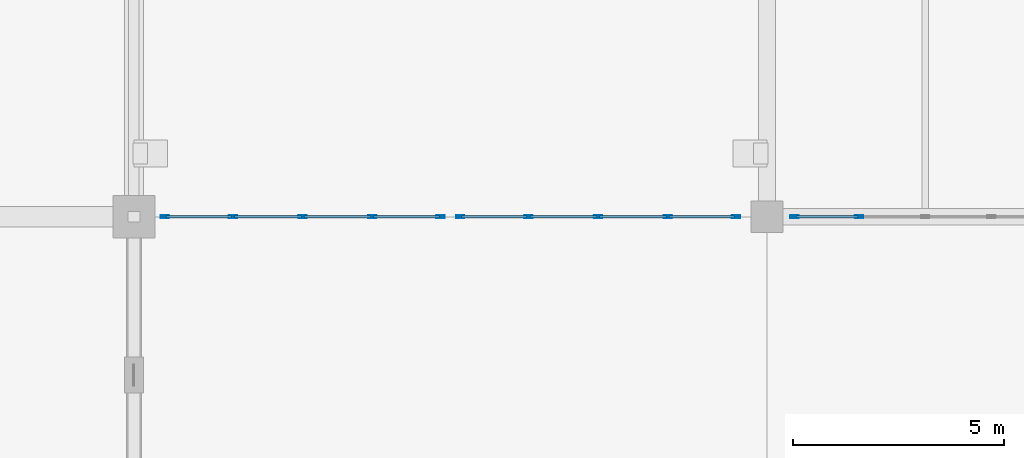
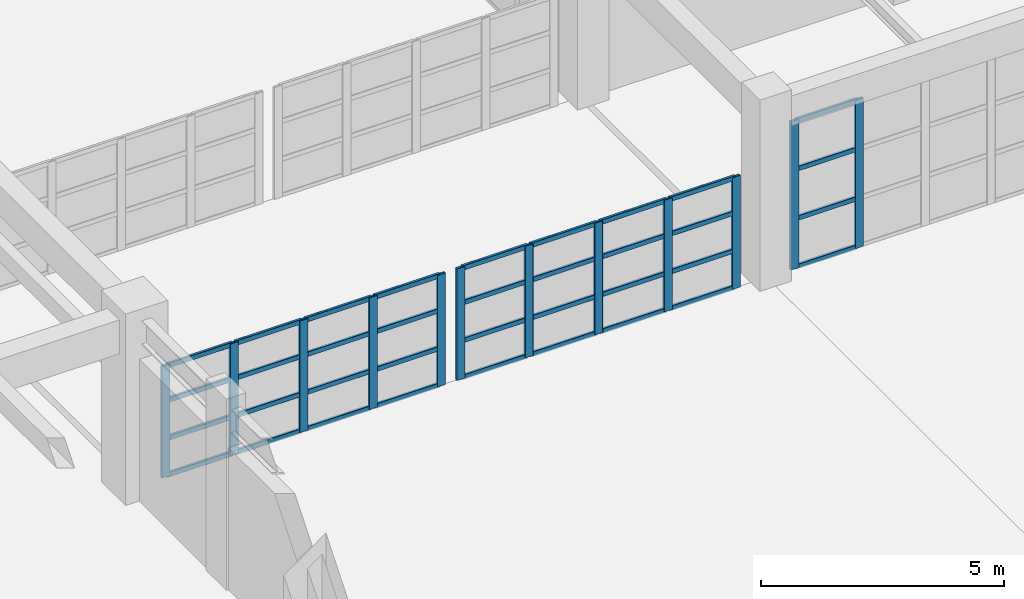
# One storey, part 44 of 122: 48 members, 3 elements without a shape of their own.
"""IFC4 building model written with IfcOpenShell, lengths in metres."""

from ifc_helpers import new_model, si_unit, direction, frame, origin, origin_2d, place, context, subcontext, project, spatial, hollow_rectangle, extrude, material, material_profile, profile_set, type_object, element, aggregate, save


model = new_model("IFC4")

# Units and contexts
model_context = context("Model", 3, precision=1e-05, world=origin(), true_north=direction((0.0, 1.0)))
body_context = subcontext(model_context, "Body", "Model", "MODEL_VIEW")
ifc_project = project(units=[si_unit("LENGTHUNIT", "METRE"), si_unit("AREAUNIT", "SQUARE_METRE"), si_unit("VOLUMEUNIT", "CUBIC_METRE"), si_unit("PLANEANGLEUNIT", "RADIAN"), si_unit("MASSUNIT", "GRAM", prefix="KILO")], contexts=[model_context])

# Site, building, storey
site_placement = place(None, origin())
site = spatial("IfcSite", under=ifc_project, at=site_placement, CompositionType="ELEMENT")
building_placement = place(site_placement, origin())
building = spatial("IfcBuilding", under=site, at=building_placement, Name="Qasida Concert Hall", CompositionType="ELEMENT")
storey_placement = place(building_placement, origin())
storey = spatial("IfcBuildingStorey", under=building, at=storey_placement, Name="L00", CompositionType="ELEMENT", Elevation=0.0)

# Curtain wall, members
ifc_material_1 = material(Name="Architectural bronze-anodized aluminium and low-E glass", Category="aluminium")
curtain_wall_type_1 = type_object("IfcCurtainWallType", Name="CW-03", PredefinedType="NOTDEFINED", material=ifc_material_1)
curtain_wall_1_placement = place(storey_placement, origin())
curtain_wall_1 = element("IfcCurtainWall", 1, at=curtain_wall_1_placement, inside=storey, type_object=curtain_wall_type_1, Name="L00 curtain wall CW-03 0151", PredefinedType="NOTDEFINED")
ifc_material_2 = material(Name="Architectural bronze-anodized aluminium EN AW-6063", Category="aluminium")
ifc_material_profile_1 = material_profile(ifc_material_2, hollow_rectangle(XDim=0.06494140625, YDim=0.199951171875, WallThickness=0.0048828125, InnerFilletRadius=0.0048828125, OuterFilletRadius=0.010009765625, at=origin_2d()), Name="CWM 200x65x5")
ifc_profile_set_1 = profile_set([ifc_material_profile_1], Name="Architectural bronze-anodized aluminium EN AW-6063")
member_type_1 = type_object("IfcMemberType", Name="MB-CWM-2", PredefinedType="MULLION", material=ifc_profile_set_1)
member_1_placement = place(storey_placement, frame((120.652587890625, 75.0, 0.0), z_axis=(0.0, 0.0, 1.0), x_axis=(0.0, 1.0, 0.0)))
member_1 = element("IfcMember", 2, at=member_1_placement, type_object=member_type_1, Name="CW-03 mullion 1", PredefinedType="MULLION", context=body_context, shape_type="SweptSolid", body=[
    extrude(hollow_rectangle(XDim=0.06494140625, YDim=0.199951171875, WallThickness=0.0048828125, InnerFilletRadius=0.0048828125, OuterFilletRadius=0.010009765625, at=origin_2d()), origin(), (0.0, 0.0, 1.0), 3.719970703125),
])
member_2_placement = place(storey_placement, frame((122.18505859375, 75.0, 0.0), z_axis=(0.0, 0.0, 1.0), x_axis=(0.0, 1.0, 0.0)))
member_2 = element("IfcMember", 3, at=member_2_placement, type_object=member_type_1, Name="CW-03 mullion 2", PredefinedType="MULLION", context=body_context, shape_type="SweptSolid", body=[
    extrude(hollow_rectangle(XDim=0.06494140625, YDim=0.199951171875, WallThickness=0.0048828125, InnerFilletRadius=0.0048828125, OuterFilletRadius=0.010009765625, at=origin_2d()), origin(), (0.0, 0.0, 1.0), 3.719970703125),
])

curtain_wall_type_2 = type_object("IfcCurtainWallType", Name="CW-08", PredefinedType="NOTDEFINED", material=ifc_material_1)
curtain_wall_2_placement = place(storey_placement, origin())
curtain_wall_2 = element("IfcCurtainWall", 4, at=curtain_wall_2_placement, inside=storey, type_object=curtain_wall_type_2, Name="L00 link bridge glazing 0222", PredefinedType="NOTDEFINED")
member_3_placement = place(storey_placement, frame((105.732421875, 75.0, 0.0), z_axis=(0.0, 0.0, 1.0), x_axis=(0.0, 1.0, 0.0)))
member_3 = element("IfcMember", 5, at=member_3_placement, type_object=member_type_1, Name="CW-08 mullion 1", PredefinedType="MULLION", context=body_context, shape_type="SweptSolid", body=[
    extrude(hollow_rectangle(XDim=0.06494140625, YDim=0.199951171875, WallThickness=0.0048828125, InnerFilletRadius=0.0048828125, OuterFilletRadius=0.010009765625, at=origin_2d()), origin(), (0.0, 0.0, 1.0), 2.800048828125),
])
member_4_placement = place(storey_placement, frame((107.35009765625, 75.0, 0.0), z_axis=(0.0, 0.0, 1.0), x_axis=(0.0, 1.0, 0.0)))
member_4 = element("IfcMember", 6, at=member_4_placement, type_object=member_type_1, Name="CW-08 mullion 2", PredefinedType="MULLION", context=body_context, shape_type="SweptSolid", body=[
    extrude(hollow_rectangle(XDim=0.06494140625, YDim=0.199951171875, WallThickness=0.0048828125, InnerFilletRadius=0.0048828125, OuterFilletRadius=0.010009765625, at=origin_2d()), origin(), (0.0, 0.0, 1.0), 2.800048828125),
])
member_5_placement = place(storey_placement, frame((109.0, 75.0, 0.0), z_axis=(0.0, 0.0, 1.0), x_axis=(0.0, 1.0, 0.0)))
member_5 = element("IfcMember", 7, at=member_5_placement, type_object=member_type_1, Name="CW-08 mullion 3", PredefinedType="MULLION", context=body_context, shape_type="SweptSolid", body=[
    extrude(hollow_rectangle(XDim=0.06494140625, YDim=0.199951171875, WallThickness=0.0048828125, InnerFilletRadius=0.0048828125, OuterFilletRadius=0.010009765625, at=origin_2d()), origin(), (0.0, 0.0, 1.0), 2.800048828125),
])
member_6_placement = place(storey_placement, frame((110.64990234375, 75.0, 0.0), z_axis=(0.0, 0.0, 1.0), x_axis=(0.0, 1.0, 0.0)))
member_6 = element("IfcMember", 8, at=member_6_placement, type_object=member_type_1, Name="CW-08 mullion 4", PredefinedType="MULLION", context=body_context, shape_type="SweptSolid", body=[
    extrude(hollow_rectangle(XDim=0.06494140625, YDim=0.199951171875, WallThickness=0.0048828125, InnerFilletRadius=0.0048828125, OuterFilletRadius=0.010009765625, at=origin_2d()), origin(), (0.0, 0.0, 1.0), 2.800048828125),
])
member_7_placement = place(storey_placement, frame((112.267578125, 75.0, 0.0), z_axis=(0.0, 0.0, 1.0), x_axis=(0.0, 1.0, 0.0)))
member_7 = element("IfcMember", 9, at=member_7_placement, type_object=member_type_1, Name="CW-08 mullion 5", PredefinedType="MULLION", context=body_context, shape_type="SweptSolid", body=[
    extrude(hollow_rectangle(XDim=0.06494140625, YDim=0.199951171875, WallThickness=0.0048828125, InnerFilletRadius=0.0048828125, OuterFilletRadius=0.010009765625, at=origin_2d()), origin(), (0.0, 0.0, 1.0), 2.800048828125),
])

curtain_wall_3_placement = place(storey_placement, origin())
curtain_wall_3 = element("IfcCurtainWall", 10, at=curtain_wall_3_placement, inside=storey, type_object=curtain_wall_type_2, Name="L00 link bridge glazing 0224", PredefinedType="NOTDEFINED")
member_8_placement = place(storey_placement, frame((112.732421875, 75.0, 0.0), z_axis=(0.0, 0.0, 1.0), x_axis=(0.0, 1.0, 0.0)))
member_8 = element("IfcMember", 11, at=member_8_placement, type_object=member_type_1, Name="CW-08 mullion 1", PredefinedType="MULLION", context=body_context, shape_type="SweptSolid", body=[
    extrude(hollow_rectangle(XDim=0.06494140625, YDim=0.199951171875, WallThickness=0.0048828125, InnerFilletRadius=0.0048828125, OuterFilletRadius=0.010009765625, at=origin_2d()), origin(), (0.0, 0.0, 1.0), 2.800048828125),
])
member_9_placement = place(storey_placement, frame((114.35009765625, 75.0, 0.0), z_axis=(0.0, 0.0, 1.0), x_axis=(0.0, 1.0, 0.0)))
member_9 = element("IfcMember", 12, at=member_9_placement, type_object=member_type_1, Name="CW-08 mullion 2", PredefinedType="MULLION", context=body_context, shape_type="SweptSolid", body=[
    extrude(hollow_rectangle(XDim=0.06494140625, YDim=0.199951171875, WallThickness=0.0048828125, InnerFilletRadius=0.0048828125, OuterFilletRadius=0.010009765625, at=origin_2d()), origin(), (0.0, 0.0, 1.0), 2.800048828125),
])
member_10_placement = place(storey_placement, frame((116.0, 75.0, 0.0), z_axis=(0.0, 0.0, 1.0), x_axis=(0.0, 1.0, 0.0)))
member_10 = element("IfcMember", 13, at=member_10_placement, type_object=member_type_1, Name="CW-08 mullion 3", PredefinedType="MULLION", context=body_context, shape_type="SweptSolid", body=[
    extrude(hollow_rectangle(XDim=0.06494140625, YDim=0.199951171875, WallThickness=0.0048828125, InnerFilletRadius=0.0048828125, OuterFilletRadius=0.010009765625, at=origin_2d()), origin(), (0.0, 0.0, 1.0), 2.800048828125),
])
member_11_placement = place(storey_placement, frame((117.64990234375, 75.0, 0.0), z_axis=(0.0, 0.0, 1.0), x_axis=(0.0, 1.0, 0.0)))
member_11 = element("IfcMember", 14, at=member_11_placement, type_object=member_type_1, Name="CW-08 mullion 4", PredefinedType="MULLION", context=body_context, shape_type="SweptSolid", body=[
    extrude(hollow_rectangle(XDim=0.06494140625, YDim=0.199951171875, WallThickness=0.0048828125, InnerFilletRadius=0.0048828125, OuterFilletRadius=0.010009765625, at=origin_2d()), origin(), (0.0, 0.0, 1.0), 2.800048828125),
])
member_12_placement = place(storey_placement, frame((119.267578125, 75.0, 0.0), z_axis=(0.0, 0.0, 1.0), x_axis=(0.0, 1.0, 0.0)))
member_12 = element("IfcMember", 15, at=member_12_placement, type_object=member_type_1, Name="CW-08 mullion 5", PredefinedType="MULLION", context=body_context, shape_type="SweptSolid", body=[
    extrude(hollow_rectangle(XDim=0.06494140625, YDim=0.199951171875, WallThickness=0.0048828125, InnerFilletRadius=0.0048828125, OuterFilletRadius=0.010009765625, at=origin_2d()), origin(), (0.0, 0.0, 1.0), 2.800048828125),
])

# Member
ifc_material_profile_2 = material_profile(ifc_material_2, hollow_rectangle(XDim=0.06005859375, YDim=0.1201171875, WallThickness=0.00390625, InnerFilletRadius=0.00390625, OuterFilletRadius=0.008056640625, at=origin_2d()), Name="CWT 120x60x4")
ifc_profile_set_2 = profile_set([ifc_material_profile_2], Name="Architectural bronze-anodized aluminium EN AW-6063")
member_type_2 = type_object("IfcMemberType", Name="MB-CWT-2", PredefinedType="USERDEFINED", material=ifc_profile_set_2)
member_13_placement = place(storey_placement, frame((120.68505859375, 75.0, 0.030029296875), z_axis=(1.0, 0.0, 0.0), x_axis=(0.0, 1.0, 0.0)))
member_13 = element("IfcMember", 16, at=member_13_placement, type_object=member_type_2, Name="CW-03 transom 1.1", ObjectType="TRANSOM", PredefinedType="USERDEFINED", context=body_context, shape_type="SweptSolid", body=[
    extrude(hollow_rectangle(XDim=0.06005859375, YDim=0.1201171875, WallThickness=0.00390625, InnerFilletRadius=0.00390625, OuterFilletRadius=0.008056640625, at=origin_2d()), origin(), (0.0, 0.0, 1.0), 1.467529296875),
])

member_14_placement = place(storey_placement, frame((120.68505859375, 75.0, 1.239990234375), z_axis=(1.0, 0.0, 0.0), x_axis=(0.0, 1.0, 0.0)))
member_14 = element("IfcMember", 17, at=member_14_placement, type_object=member_type_2, Name="CW-03 transom 1.2", ObjectType="TRANSOM", PredefinedType="USERDEFINED", context=body_context, shape_type="SweptSolid", body=[
    extrude(hollow_rectangle(XDim=0.06005859375, YDim=0.1201171875, WallThickness=0.00390625, InnerFilletRadius=0.00390625, OuterFilletRadius=0.008056640625, at=origin_2d()), origin(), (0.0, 0.0, 1.0), 1.467529296875),
])

member_15_placement = place(storey_placement, frame((120.68505859375, 75.0, 2.47998046875), z_axis=(1.0, 0.0, 0.0), x_axis=(0.0, 1.0, 0.0)))
member_15 = element("IfcMember", 18, at=member_15_placement, type_object=member_type_2, Name="CW-03 transom 1.3", ObjectType="TRANSOM", PredefinedType="USERDEFINED", context=body_context, shape_type="SweptSolid", body=[
    extrude(hollow_rectangle(XDim=0.06005859375, YDim=0.1201171875, WallThickness=0.00390625, InnerFilletRadius=0.00390625, OuterFilletRadius=0.008056640625, at=origin_2d()), origin(), (0.0, 0.0, 1.0), 1.467529296875),
])

member_16_placement = place(storey_placement, frame((120.68505859375, 75.0, 3.68994140625), z_axis=(1.0, 0.0, 0.0), x_axis=(0.0, 1.0, 0.0)))
member_16 = element("IfcMember", 19, at=member_16_placement, type_object=member_type_2, Name="CW-03 transom 1.4", ObjectType="TRANSOM", PredefinedType="USERDEFINED", context=body_context, shape_type="SweptSolid", body=[
    extrude(hollow_rectangle(XDim=0.06005859375, YDim=0.1201171875, WallThickness=0.00390625, InnerFilletRadius=0.00390625, OuterFilletRadius=0.008056640625, at=origin_2d()), origin(), (0.0, 0.0, 1.0), 1.467529296875),
])

aggregate(curtain_wall_1, [member_1, member_2, member_13, member_14, member_15, member_16])

member_17_placement = place(storey_placement, frame((105.764892578125, 75.0, 0.030029296875), z_axis=(1.0, 0.0, 0.0), x_axis=(0.0, 1.0, 0.0)))
member_17 = element("IfcMember", 20, at=member_17_placement, type_object=member_type_2, Name="CW-08 transom 1.1", ObjectType="TRANSOM", PredefinedType="USERDEFINED", context=body_context, shape_type="SweptSolid", body=[
    extrude(hollow_rectangle(XDim=0.06005859375, YDim=0.1201171875, WallThickness=0.00390625, InnerFilletRadius=0.00390625, OuterFilletRadius=0.008056640625, at=origin_2d()), origin(), (0.0, 0.0, 1.0), 1.552490234375),
])

member_18_placement = place(storey_placement, frame((105.764892578125, 75.0, 0.949951171875), z_axis=(1.0, 0.0, 0.0), x_axis=(0.0, 1.0, 0.0)))
member_18 = element("IfcMember", 21, at=member_18_placement, type_object=member_type_2, Name="CW-08 transom 1.2", ObjectType="TRANSOM", PredefinedType="USERDEFINED", context=body_context, shape_type="SweptSolid", body=[
    extrude(hollow_rectangle(XDim=0.06005859375, YDim=0.1201171875, WallThickness=0.00390625, InnerFilletRadius=0.00390625, OuterFilletRadius=0.008056640625, at=origin_2d()), origin(), (0.0, 0.0, 1.0), 1.552490234375),
])

member_19_placement = place(storey_placement, frame((105.764892578125, 75.0, 1.89990234375), z_axis=(1.0, 0.0, 0.0), x_axis=(0.0, 1.0, 0.0)))
member_19 = element("IfcMember", 22, at=member_19_placement, type_object=member_type_2, Name="CW-08 transom 1.3", ObjectType="TRANSOM", PredefinedType="USERDEFINED", context=body_context, shape_type="SweptSolid", body=[
    extrude(hollow_rectangle(XDim=0.06005859375, YDim=0.1201171875, WallThickness=0.00390625, InnerFilletRadius=0.00390625, OuterFilletRadius=0.008056640625, at=origin_2d()), origin(), (0.0, 0.0, 1.0), 1.552490234375),
])

member_20_placement = place(storey_placement, frame((105.764892578125, 75.0, 2.77001953125), z_axis=(1.0, 0.0, 0.0), x_axis=(0.0, 1.0, 0.0)))
member_20 = element("IfcMember", 23, at=member_20_placement, type_object=member_type_2, Name="CW-08 transom 1.4", ObjectType="TRANSOM", PredefinedType="USERDEFINED", context=body_context, shape_type="SweptSolid", body=[
    extrude(hollow_rectangle(XDim=0.06005859375, YDim=0.1201171875, WallThickness=0.00390625, InnerFilletRadius=0.00390625, OuterFilletRadius=0.008056640625, at=origin_2d()), origin(), (0.0, 0.0, 1.0), 1.552490234375),
])

member_21_placement = place(storey_placement, frame((107.382568359375, 75.0, 0.030029296875), z_axis=(1.0, 0.0, 0.0), x_axis=(0.0, 1.0, 0.0)))
member_21 = element("IfcMember", 24, at=member_21_placement, type_object=member_type_2, Name="CW-08 transom 2.1", ObjectType="TRANSOM", PredefinedType="USERDEFINED", context=body_context, shape_type="SweptSolid", body=[
    extrude(hollow_rectangle(XDim=0.06005859375, YDim=0.1201171875, WallThickness=0.00390625, InnerFilletRadius=0.00390625, OuterFilletRadius=0.008056640625, at=origin_2d()), origin(), (0.0, 0.0, 1.0), 1.5849609375),
])

member_22_placement = place(storey_placement, frame((107.382568359375, 75.0, 0.949951171875), z_axis=(1.0, 0.0, 0.0), x_axis=(0.0, 1.0, 0.0)))
member_22 = element("IfcMember", 25, at=member_22_placement, type_object=member_type_2, Name="CW-08 transom 2.2", ObjectType="TRANSOM", PredefinedType="USERDEFINED", context=body_context, shape_type="SweptSolid", body=[
    extrude(hollow_rectangle(XDim=0.06005859375, YDim=0.1201171875, WallThickness=0.00390625, InnerFilletRadius=0.00390625, OuterFilletRadius=0.008056640625, at=origin_2d()), origin(), (0.0, 0.0, 1.0), 1.5849609375),
])

member_23_placement = place(storey_placement, frame((107.382568359375, 75.0, 1.89990234375), z_axis=(1.0, 0.0, 0.0), x_axis=(0.0, 1.0, 0.0)))
member_23 = element("IfcMember", 26, at=member_23_placement, type_object=member_type_2, Name="CW-08 transom 2.3", ObjectType="TRANSOM", PredefinedType="USERDEFINED", context=body_context, shape_type="SweptSolid", body=[
    extrude(hollow_rectangle(XDim=0.06005859375, YDim=0.1201171875, WallThickness=0.00390625, InnerFilletRadius=0.00390625, OuterFilletRadius=0.008056640625, at=origin_2d()), origin(), (0.0, 0.0, 1.0), 1.5849609375),
])

member_24_placement = place(storey_placement, frame((107.382568359375, 75.0, 2.77001953125), z_axis=(1.0, 0.0, 0.0), x_axis=(0.0, 1.0, 0.0)))
member_24 = element("IfcMember", 27, at=member_24_placement, type_object=member_type_2, Name="CW-08 transom 2.4", ObjectType="TRANSOM", PredefinedType="USERDEFINED", context=body_context, shape_type="SweptSolid", body=[
    extrude(hollow_rectangle(XDim=0.06005859375, YDim=0.1201171875, WallThickness=0.00390625, InnerFilletRadius=0.00390625, OuterFilletRadius=0.008056640625, at=origin_2d()), origin(), (0.0, 0.0, 1.0), 1.5849609375),
])

member_25_placement = place(storey_placement, frame((109.032470703125, 75.0, 0.030029296875), z_axis=(1.0, 0.0, 0.0), x_axis=(0.0, 1.0, 0.0)))
member_25 = element("IfcMember", 28, at=member_25_placement, type_object=member_type_2, Name="CW-08 transom 3.1", ObjectType="TRANSOM", PredefinedType="USERDEFINED", context=body_context, shape_type="SweptSolid", body=[
    extrude(hollow_rectangle(XDim=0.06005859375, YDim=0.1201171875, WallThickness=0.00390625, InnerFilletRadius=0.00390625, OuterFilletRadius=0.008056640625, at=origin_2d()), origin(), (0.0, 0.0, 1.0), 1.5849609375),
])

member_26_placement = place(storey_placement, frame((109.032470703125, 75.0, 0.949951171875), z_axis=(1.0, 0.0, 0.0), x_axis=(0.0, 1.0, 0.0)))
member_26 = element("IfcMember", 29, at=member_26_placement, type_object=member_type_2, Name="CW-08 transom 3.2", ObjectType="TRANSOM", PredefinedType="USERDEFINED", context=body_context, shape_type="SweptSolid", body=[
    extrude(hollow_rectangle(XDim=0.06005859375, YDim=0.1201171875, WallThickness=0.00390625, InnerFilletRadius=0.00390625, OuterFilletRadius=0.008056640625, at=origin_2d()), origin(), (0.0, 0.0, 1.0), 1.5849609375),
])

member_27_placement = place(storey_placement, frame((109.032470703125, 75.0, 1.89990234375), z_axis=(1.0, 0.0, 0.0), x_axis=(0.0, 1.0, 0.0)))
member_27 = element("IfcMember", 30, at=member_27_placement, type_object=member_type_2, Name="CW-08 transom 3.3", ObjectType="TRANSOM", PredefinedType="USERDEFINED", context=body_context, shape_type="SweptSolid", body=[
    extrude(hollow_rectangle(XDim=0.06005859375, YDim=0.1201171875, WallThickness=0.00390625, InnerFilletRadius=0.00390625, OuterFilletRadius=0.008056640625, at=origin_2d()), origin(), (0.0, 0.0, 1.0), 1.5849609375),
])

member_28_placement = place(storey_placement, frame((109.032470703125, 75.0, 2.77001953125), z_axis=(1.0, 0.0, 0.0), x_axis=(0.0, 1.0, 0.0)))
member_28 = element("IfcMember", 31, at=member_28_placement, type_object=member_type_2, Name="CW-08 transom 3.4", ObjectType="TRANSOM", PredefinedType="USERDEFINED", context=body_context, shape_type="SweptSolid", body=[
    extrude(hollow_rectangle(XDim=0.06005859375, YDim=0.1201171875, WallThickness=0.00390625, InnerFilletRadius=0.00390625, OuterFilletRadius=0.008056640625, at=origin_2d()), origin(), (0.0, 0.0, 1.0), 1.5849609375),
])

member_29_placement = place(storey_placement, frame((110.6826171875, 75.0, 0.030029296875), z_axis=(1.0, 0.0, 0.0), x_axis=(0.0, 1.0, 0.0)))
member_29 = element("IfcMember", 32, at=member_29_placement, type_object=member_type_2, Name="CW-08 transom 4.1", ObjectType="TRANSOM", PredefinedType="USERDEFINED", context=body_context, shape_type="SweptSolid", body=[
    extrude(hollow_rectangle(XDim=0.06005859375, YDim=0.1201171875, WallThickness=0.00390625, InnerFilletRadius=0.00390625, OuterFilletRadius=0.008056640625, at=origin_2d()), origin(), (0.0, 0.0, 1.0), 1.552490234375),
])

member_30_placement = place(storey_placement, frame((110.6826171875, 75.0, 0.949951171875), z_axis=(1.0, 0.0, 0.0), x_axis=(0.0, 1.0, 0.0)))
member_30 = element("IfcMember", 33, at=member_30_placement, type_object=member_type_2, Name="CW-08 transom 4.2", ObjectType="TRANSOM", PredefinedType="USERDEFINED", context=body_context, shape_type="SweptSolid", body=[
    extrude(hollow_rectangle(XDim=0.06005859375, YDim=0.1201171875, WallThickness=0.00390625, InnerFilletRadius=0.00390625, OuterFilletRadius=0.008056640625, at=origin_2d()), origin(), (0.0, 0.0, 1.0), 1.552490234375),
])

member_31_placement = place(storey_placement, frame((110.6826171875, 75.0, 1.89990234375), z_axis=(1.0, 0.0, 0.0), x_axis=(0.0, 1.0, 0.0)))
member_31 = element("IfcMember", 34, at=member_31_placement, type_object=member_type_2, Name="CW-08 transom 4.3", ObjectType="TRANSOM", PredefinedType="USERDEFINED", context=body_context, shape_type="SweptSolid", body=[
    extrude(hollow_rectangle(XDim=0.06005859375, YDim=0.1201171875, WallThickness=0.00390625, InnerFilletRadius=0.00390625, OuterFilletRadius=0.008056640625, at=origin_2d()), origin(), (0.0, 0.0, 1.0), 1.552490234375),
])

member_32_placement = place(storey_placement, frame((110.6826171875, 75.0, 2.77001953125), z_axis=(1.0, 0.0, 0.0), x_axis=(0.0, 1.0, 0.0)))
member_32 = element("IfcMember", 35, at=member_32_placement, type_object=member_type_2, Name="CW-08 transom 4.4", ObjectType="TRANSOM", PredefinedType="USERDEFINED", context=body_context, shape_type="SweptSolid", body=[
    extrude(hollow_rectangle(XDim=0.06005859375, YDim=0.1201171875, WallThickness=0.00390625, InnerFilletRadius=0.00390625, OuterFilletRadius=0.008056640625, at=origin_2d()), origin(), (0.0, 0.0, 1.0), 1.552490234375),
])

aggregate(curtain_wall_2, [member_3, member_4, member_5, member_6, member_7, member_17, member_18, member_19, member_20, member_21, member_22, member_23, member_24, member_25, member_26, member_27, member_28, member_29, member_30, member_31, member_32])

member_33_placement = place(storey_placement, frame((112.764892578125, 75.0, 0.030029296875), z_axis=(1.0, 0.0, 0.0), x_axis=(0.0, 1.0, 0.0)))
member_33 = element("IfcMember", 36, at=member_33_placement, type_object=member_type_2, Name="CW-08 transom 1.1", ObjectType="TRANSOM", PredefinedType="USERDEFINED", context=body_context, shape_type="SweptSolid", body=[
    extrude(hollow_rectangle(XDim=0.06005859375, YDim=0.1201171875, WallThickness=0.00390625, InnerFilletRadius=0.00390625, OuterFilletRadius=0.008056640625, at=origin_2d()), origin(), (0.0, 0.0, 1.0), 1.552490234375),
])

member_34_placement = place(storey_placement, frame((112.764892578125, 75.0, 0.949951171875), z_axis=(1.0, 0.0, 0.0), x_axis=(0.0, 1.0, 0.0)))
member_34 = element("IfcMember", 37, at=member_34_placement, type_object=member_type_2, Name="CW-08 transom 1.2", ObjectType="TRANSOM", PredefinedType="USERDEFINED", context=body_context, shape_type="SweptSolid", body=[
    extrude(hollow_rectangle(XDim=0.06005859375, YDim=0.1201171875, WallThickness=0.00390625, InnerFilletRadius=0.00390625, OuterFilletRadius=0.008056640625, at=origin_2d()), origin(), (0.0, 0.0, 1.0), 1.552490234375),
])

member_35_placement = place(storey_placement, frame((112.764892578125, 75.0, 1.89990234375), z_axis=(1.0, 0.0, 0.0), x_axis=(0.0, 1.0, 0.0)))
member_35 = element("IfcMember", 38, at=member_35_placement, type_object=member_type_2, Name="CW-08 transom 1.3", ObjectType="TRANSOM", PredefinedType="USERDEFINED", context=body_context, shape_type="SweptSolid", body=[
    extrude(hollow_rectangle(XDim=0.06005859375, YDim=0.1201171875, WallThickness=0.00390625, InnerFilletRadius=0.00390625, OuterFilletRadius=0.008056640625, at=origin_2d()), origin(), (0.0, 0.0, 1.0), 1.552490234375),
])

member_36_placement = place(storey_placement, frame((112.764892578125, 75.0, 2.77001953125), z_axis=(1.0, 0.0, 0.0), x_axis=(0.0, 1.0, 0.0)))
member_36 = element("IfcMember", 39, at=member_36_placement, type_object=member_type_2, Name="CW-08 transom 1.4", ObjectType="TRANSOM", PredefinedType="USERDEFINED", context=body_context, shape_type="SweptSolid", body=[
    extrude(hollow_rectangle(XDim=0.06005859375, YDim=0.1201171875, WallThickness=0.00390625, InnerFilletRadius=0.00390625, OuterFilletRadius=0.008056640625, at=origin_2d()), origin(), (0.0, 0.0, 1.0), 1.552490234375),
])

member_37_placement = place(storey_placement, frame((114.382568359375, 75.0, 0.030029296875), z_axis=(1.0, 0.0, 0.0), x_axis=(0.0, 1.0, 0.0)))
member_37 = element("IfcMember", 40, at=member_37_placement, type_object=member_type_2, Name="CW-08 transom 2.1", ObjectType="TRANSOM", PredefinedType="USERDEFINED", context=body_context, shape_type="SweptSolid", body=[
    extrude(hollow_rectangle(XDim=0.06005859375, YDim=0.1201171875, WallThickness=0.00390625, InnerFilletRadius=0.00390625, OuterFilletRadius=0.008056640625, at=origin_2d()), origin(), (0.0, 0.0, 1.0), 1.5849609375),
])

member_38_placement = place(storey_placement, frame((114.382568359375, 75.0, 0.949951171875), z_axis=(1.0, 0.0, 0.0), x_axis=(0.0, 1.0, 0.0)))
member_38 = element("IfcMember", 41, at=member_38_placement, type_object=member_type_2, Name="CW-08 transom 2.2", ObjectType="TRANSOM", PredefinedType="USERDEFINED", context=body_context, shape_type="SweptSolid", body=[
    extrude(hollow_rectangle(XDim=0.06005859375, YDim=0.1201171875, WallThickness=0.00390625, InnerFilletRadius=0.00390625, OuterFilletRadius=0.008056640625, at=origin_2d()), origin(), (0.0, 0.0, 1.0), 1.5849609375),
])

member_39_placement = place(storey_placement, frame((114.382568359375, 75.0, 1.89990234375), z_axis=(1.0, 0.0, 0.0), x_axis=(0.0, 1.0, 0.0)))
member_39 = element("IfcMember", 42, at=member_39_placement, type_object=member_type_2, Name="CW-08 transom 2.3", ObjectType="TRANSOM", PredefinedType="USERDEFINED", context=body_context, shape_type="SweptSolid", body=[
    extrude(hollow_rectangle(XDim=0.06005859375, YDim=0.1201171875, WallThickness=0.00390625, InnerFilletRadius=0.00390625, OuterFilletRadius=0.008056640625, at=origin_2d()), origin(), (0.0, 0.0, 1.0), 1.5849609375),
])

member_40_placement = place(storey_placement, frame((114.382568359375, 75.0, 2.77001953125), z_axis=(1.0, 0.0, 0.0), x_axis=(0.0, 1.0, 0.0)))
member_40 = element("IfcMember", 43, at=member_40_placement, type_object=member_type_2, Name="CW-08 transom 2.4", ObjectType="TRANSOM", PredefinedType="USERDEFINED", context=body_context, shape_type="SweptSolid", body=[
    extrude(hollow_rectangle(XDim=0.06005859375, YDim=0.1201171875, WallThickness=0.00390625, InnerFilletRadius=0.00390625, OuterFilletRadius=0.008056640625, at=origin_2d()), origin(), (0.0, 0.0, 1.0), 1.5849609375),
])

member_41_placement = place(storey_placement, frame((116.032470703125, 75.0, 0.030029296875), z_axis=(1.0, 0.0, 0.0), x_axis=(0.0, 1.0, 0.0)))
member_41 = element("IfcMember", 44, at=member_41_placement, type_object=member_type_2, Name="CW-08 transom 3.1", ObjectType="TRANSOM", PredefinedType="USERDEFINED", context=body_context, shape_type="SweptSolid", body=[
    extrude(hollow_rectangle(XDim=0.06005859375, YDim=0.1201171875, WallThickness=0.00390625, InnerFilletRadius=0.00390625, OuterFilletRadius=0.008056640625, at=origin_2d()), origin(), (0.0, 0.0, 1.0), 1.5849609375),
])

member_42_placement = place(storey_placement, frame((116.032470703125, 75.0, 0.949951171875), z_axis=(1.0, 0.0, 0.0), x_axis=(0.0, 1.0, 0.0)))
member_42 = element("IfcMember", 45, at=member_42_placement, type_object=member_type_2, Name="CW-08 transom 3.2", ObjectType="TRANSOM", PredefinedType="USERDEFINED", context=body_context, shape_type="SweptSolid", body=[
    extrude(hollow_rectangle(XDim=0.06005859375, YDim=0.1201171875, WallThickness=0.00390625, InnerFilletRadius=0.00390625, OuterFilletRadius=0.008056640625, at=origin_2d()), origin(), (0.0, 0.0, 1.0), 1.5849609375),
])

member_43_placement = place(storey_placement, frame((116.032470703125, 75.0, 1.89990234375), z_axis=(1.0, 0.0, 0.0), x_axis=(0.0, 1.0, 0.0)))
member_43 = element("IfcMember", 46, at=member_43_placement, type_object=member_type_2, Name="CW-08 transom 3.3", ObjectType="TRANSOM", PredefinedType="USERDEFINED", context=body_context, shape_type="SweptSolid", body=[
    extrude(hollow_rectangle(XDim=0.06005859375, YDim=0.1201171875, WallThickness=0.00390625, InnerFilletRadius=0.00390625, OuterFilletRadius=0.008056640625, at=origin_2d()), origin(), (0.0, 0.0, 1.0), 1.5849609375),
])

member_44_placement = place(storey_placement, frame((116.032470703125, 75.0, 2.77001953125), z_axis=(1.0, 0.0, 0.0), x_axis=(0.0, 1.0, 0.0)))
member_44 = element("IfcMember", 47, at=member_44_placement, type_object=member_type_2, Name="CW-08 transom 3.4", ObjectType="TRANSOM", PredefinedType="USERDEFINED", context=body_context, shape_type="SweptSolid", body=[
    extrude(hollow_rectangle(XDim=0.06005859375, YDim=0.1201171875, WallThickness=0.00390625, InnerFilletRadius=0.00390625, OuterFilletRadius=0.008056640625, at=origin_2d()), origin(), (0.0, 0.0, 1.0), 1.5849609375),
])

member_45_placement = place(storey_placement, frame((117.6826171875, 75.0, 0.030029296875), z_axis=(1.0, 0.0, 0.0), x_axis=(0.0, 1.0, 0.0)))
member_45 = element("IfcMember", 48, at=member_45_placement, type_object=member_type_2, Name="CW-08 transom 4.1", ObjectType="TRANSOM", PredefinedType="USERDEFINED", context=body_context, shape_type="SweptSolid", body=[
    extrude(hollow_rectangle(XDim=0.06005859375, YDim=0.1201171875, WallThickness=0.00390625, InnerFilletRadius=0.00390625, OuterFilletRadius=0.008056640625, at=origin_2d()), origin(), (0.0, 0.0, 1.0), 1.552490234375),
])

member_46_placement = place(storey_placement, frame((117.6826171875, 75.0, 0.949951171875), z_axis=(1.0, 0.0, 0.0), x_axis=(0.0, 1.0, 0.0)))
member_46 = element("IfcMember", 49, at=member_46_placement, type_object=member_type_2, Name="CW-08 transom 4.2", ObjectType="TRANSOM", PredefinedType="USERDEFINED", context=body_context, shape_type="SweptSolid", body=[
    extrude(hollow_rectangle(XDim=0.06005859375, YDim=0.1201171875, WallThickness=0.00390625, InnerFilletRadius=0.00390625, OuterFilletRadius=0.008056640625, at=origin_2d()), origin(), (0.0, 0.0, 1.0), 1.552490234375),
])

member_47_placement = place(storey_placement, frame((117.6826171875, 75.0, 1.89990234375), z_axis=(1.0, 0.0, 0.0), x_axis=(0.0, 1.0, 0.0)))
member_47 = element("IfcMember", 50, at=member_47_placement, type_object=member_type_2, Name="CW-08 transom 4.3", ObjectType="TRANSOM", PredefinedType="USERDEFINED", context=body_context, shape_type="SweptSolid", body=[
    extrude(hollow_rectangle(XDim=0.06005859375, YDim=0.1201171875, WallThickness=0.00390625, InnerFilletRadius=0.00390625, OuterFilletRadius=0.008056640625, at=origin_2d()), origin(), (0.0, 0.0, 1.0), 1.552490234375),
])

member_48_placement = place(storey_placement, frame((117.6826171875, 75.0, 2.77001953125), z_axis=(1.0, 0.0, 0.0), x_axis=(0.0, 1.0, 0.0)))
member_48 = element("IfcMember", 51, at=member_48_placement, type_object=member_type_2, Name="CW-08 transom 4.4", ObjectType="TRANSOM", PredefinedType="USERDEFINED", context=body_context, shape_type="SweptSolid", body=[
    extrude(hollow_rectangle(XDim=0.06005859375, YDim=0.1201171875, WallThickness=0.00390625, InnerFilletRadius=0.00390625, OuterFilletRadius=0.008056640625, at=origin_2d()), origin(), (0.0, 0.0, 1.0), 1.552490234375),
])

aggregate(curtain_wall_3, [member_8, member_9, member_10, member_11, member_12, member_33, member_34, member_35, member_36, member_37, member_38, member_39, member_40, member_41, member_42, member_43, member_44, member_45, member_46, member_47, member_48])

save(model, "model.ifc")
